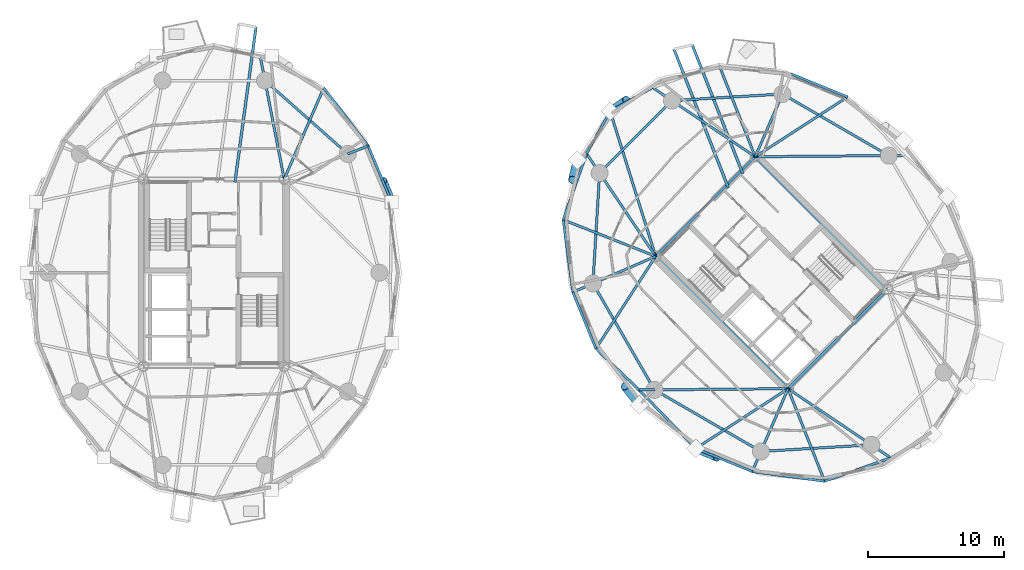
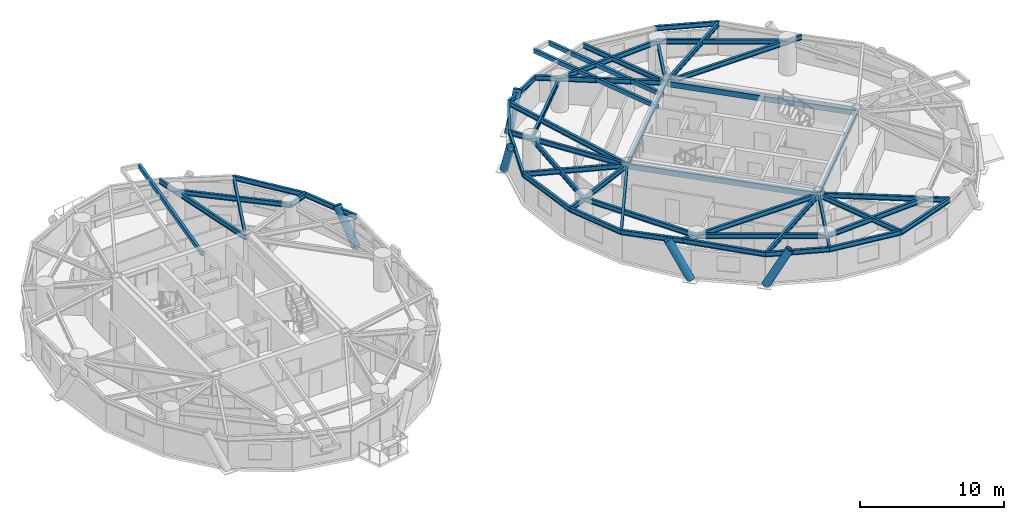
# One storey, part 4 of 18: 47 beams, 5 members.
"""IFC4 building model written with IfcOpenShell, lengths in metres."""

from ifc_helpers import new_model, si_unit, direction, frame, origin, origin_2d, place, context, subcontext, project, spatial, hollow_rectangle, hollow_circle, i_section, extrude, material, material_profile, profile_set, type_object, element, save


model = new_model("IFC4")

# Units and contexts
model_context = context("Model", 3, precision=1e-05, world=origin(), true_north=direction((0.0, 1.0)))
body_context = subcontext(model_context, "Body", "Model", "MODEL_VIEW")
ifc_project = project(units=[si_unit("LENGTHUNIT", "METRE"), si_unit("AREAUNIT", "SQUARE_METRE"), si_unit("VOLUMEUNIT", "CUBIC_METRE"), si_unit("PLANEANGLEUNIT", "RADIAN"), si_unit("MASSUNIT", "GRAM", prefix="KILO")], contexts=[model_context])

# Site, building, storey
site_placement = place(None, origin())
site = spatial("IfcSite", under=ifc_project, at=site_placement, CompositionType="ELEMENT")
building_placement = place(site_placement, origin())
building = spatial("IfcBuilding", under=site, at=building_placement, Name="Cununo Teusaquillo Station Towers", CompositionType="ELEMENT")
storey_placement = place(building_placement, frame((0.0, 0.0, 169.06005859375)))
storey = spatial("IfcBuildingStorey", under=building, at=storey_placement, Name="L53", CompositionType="ELEMENT", Elevation=169.06005859375)

# Beams
ifc_material_1 = material(Name="Steel EN 10025-2 S355J2", Category="steel")
ifc_material_profile_1 = material_profile(ifc_material_1, hollow_rectangle(XDim=0.199951171875, YDim=0.35009765625, WallThickness=0.013916015625, at=origin_2d()), Name="RHS 350x200x14")
ifc_profile_set_1 = profile_set([ifc_material_profile_1], Name="Steel EN 10025-2 S355J2")
beam_type_1 = type_object("IfcBeamType", Name="BM-BAL-CANT", PredefinedType="BEAM", material=ifc_profile_set_1)
beam_1_placement = place(storey_placement, frame((18.05517578125, 31.14990234375, 2.514892578125), z_axis=(0.134626438315, 0.990896423501, 0.0), x_axis=(-0.990896423501, 0.134626438315, 0.0)))
element("IfcBeam", 1, at=beam_1_placement, inside=storey, type_object=beam_type_1, Name="L53 Tower A Balcony Cantilever Bracket 1A", PredefinedType="BEAM", context=body_context, shape_type="SweptSolid", body=[
    extrude(hollow_rectangle(XDim=0.199951171875, YDim=0.35009765625, WallThickness=0.013916015625, at=origin_2d()), origin(), (0.0, 0.0, 1.0), 11.504638671875),
])
beam_2_placement = place(storey_placement, frame((55.377685546875, 31.781982421875, 2.514892578125), z_axis=(-0.365281448211, 0.930897128362, 0.0), x_axis=(-0.930897128362, -0.365281448211, 0.0)))
element("IfcBeam", 2, at=beam_2_placement, inside=storey, type_object=beam_type_1, Name="L53 Tower B Balcony Cantilever Bracket 1A", PredefinedType="BEAM", context=body_context, shape_type="SweptSolid", body=[
    extrude(hollow_rectangle(XDim=0.199951171875, YDim=0.35009765625, WallThickness=0.013916015625, at=origin_2d()), origin(), (0.0, 0.0, 1.0), 10.162353515625),
])
beam_3_placement = place(storey_placement, frame((54.32177734375, 30.726318359375, 2.514892578125), z_axis=(-0.36528703962, 0.93089493429, 0.0), x_axis=(-0.93089493429, -0.36528703962, 0.0)))
element("IfcBeam", 3, at=beam_3_placement, inside=storey, type_object=beam_type_1, Name="L53 Tower B Balcony Cantilever Bracket 1B", PredefinedType="BEAM", context=body_context, shape_type="SweptSolid", body=[
    extrude(hollow_rectangle(XDim=0.199951171875, YDim=0.35009765625, WallThickness=0.013916015625, at=origin_2d()), origin(), (0.0, 0.0, 1.0), 10.958984375),
])
ifc_material_2 = material(Name="Steel EN 10025-2 S355J2", Category="steel")
ifc_material_profile_2 = material_profile(ifc_material_2, hollow_rectangle(XDim=0.25, YDim=0.449951171875, WallThickness=0.01611328125, at=origin_2d()), Name="RHS 450x250x16")
ifc_profile_set_2 = profile_set([ifc_material_profile_2], Name="Steel EN 10025-2 S355J2")
beam_type_2 = type_object("IfcBeamType", Name="BM-COUP-1", PredefinedType="USERDEFINED", material=ifc_profile_set_2)
for number, where, z_axis, x_axis, name in (
    (4, (58.70556640625, 15.975830078125, 2.46484375), (-0.707106781187, 0.707106781187, 0.0), (-0.707106781187, -0.707106781187, 0.0), "L53 Tower B Core Beam 1"),
    (5, (66.024169921875, 23.29443359375, 2.46484375), (-0.707106781187, 0.707106781187, 0.0), (-0.707106781187, -0.707106781187, 0.0), "L53 Tower B Core Beam 2"),
):
    element("IfcBeam", number, at=place(storey_placement, frame(where, z_axis=z_axis, x_axis=x_axis)), inside=storey, type_object=beam_type_2, Name=name, ObjectType="COUPLING BEAM", PredefinedType="USERDEFINED", context=body_context, shape_type="SweptSolid", body=[
        extrude(hollow_rectangle(XDim=0.25, YDim=0.449951171875, WallThickness=0.01611328125, at=origin_2d()), origin(), (0.0, 0.0, 1.0), 13.760009765625),
    ])
ifc_material_3 = material(Name="Steel ASTM A572 Grade 50", Category="steel")
ifc_material_profile_3 = material_profile(ifc_material_3, i_section(OverallWidth=0.180908203125, OverallDepth=0.4169921875, WebThickness=0.010986328125, FlangeThickness=0.018310546875, FilletRadius=0.012939453125, at=origin_2d()), Name="W16X57")
ifc_profile_set_3 = profile_set([ifc_material_profile_3], Name="Steel ASTM A572 Grade 50")
beam_type_3 = type_object("IfcBeamType", Name="BM-JOIST-1", PredefinedType="JOIST", material=ifc_profile_set_3)
beam_4_placement = place(storey_placement, frame((21.675048828125, 31.3798828125, 2.4814453125), z_axis=(0.397903718051, 0.917427180304, 0.0), x_axis=(-0.917427180304, 0.397903718051, 0.0)))
element("IfcBeam", 6, at=beam_4_placement, inside=storey, type_object=beam_type_3, Name="L53 Tower A Radial Spandrel Joist V03", PredefinedType="JOIST", context=body_context, shape_type="SweptSolid", body=[
    extrude(i_section(OverallWidth=0.180908203125, OverallDepth=0.4169921875, WebThickness=0.010986328125, FlangeThickness=0.018310546875, FilletRadius=0.012939453125, at=origin_2d()), origin(), (0.0, 0.0, 1.0), 7.306884765625),
])
beam_5_placement = place(storey_placement, frame((56.29443359375, 33.024169921875, 2.4814453125), z_axis=(0.839447756954, 0.543440395394, 0.0), x_axis=(-0.543440395394, 0.839447756954, 0.0)))
element("IfcBeam", 7, at=beam_5_placement, inside=storey, type_object=beam_type_3, Name="L53 Tower B Radial Spandrel Joist V01", PredefinedType="JOIST", context=body_context, shape_type="SweptSolid", body=[
    extrude(i_section(OverallWidth=0.180908203125, OverallDepth=0.4169921875, WebThickness=0.010986328125, FlangeThickness=0.018310546875, FilletRadius=0.012939453125, at=origin_2d()), origin(), (0.0, 0.0, 1.0), 8.08203125),
])
beam_6_placement = place(storey_placement, frame((56.29443359375, 33.024169921875, 2.4814453125), z_axis=(-0.367331607091, 0.93009004426, 0.0), x_axis=(-0.93009004426, -0.367331607091, 0.0)))
element("IfcBeam", 8, at=beam_6_placement, inside=storey, type_object=beam_type_3, Name="L53 Tower B Radial Spandrel Joist V03", PredefinedType="JOIST", context=body_context, shape_type="SweptSolid", body=[
    extrude(i_section(OverallWidth=0.180908203125, OverallDepth=0.4169921875, WebThickness=0.010986328125, FlangeThickness=0.018310546875, FilletRadius=0.012939453125, at=origin_2d()), origin(), (0.0, 0.0, 1.0), 7.306884765625),
])
beam_7_placement = place(storey_placement, frame((48.975830078125, 25.70556640625, 2.4814453125), z_axis=(-0.29947962656, 0.954102695351, 0.0), x_axis=(-0.954102695351, -0.29947962656, 0.0)))
element("IfcBeam", 9, at=beam_7_placement, inside=storey, type_object=beam_type_3, Name="L53 Tower B Radial Spandrel Joist V05", PredefinedType="JOIST", context=body_context, shape_type="SweptSolid", body=[
    extrude(i_section(OverallWidth=0.180908203125, OverallDepth=0.4169921875, WebThickness=0.010986328125, FlangeThickness=0.018310546875, FilletRadius=0.012939453125, at=origin_2d()), origin(), (0.0, 0.0, 1.0), 11.179931640625),
])
beam_8_placement = place(storey_placement, frame((48.975830078125, 25.70556640625, 2.4814453125), z_axis=(-0.93009004426, 0.367331607091, 0.0), x_axis=(-0.367331607091, -0.93009004426, 0.0)))
element("IfcBeam", 10, at=beam_8_placement, inside=storey, type_object=beam_type_3, Name="L53 Tower B Radial Spandrel Joist V07", PredefinedType="JOIST", context=body_context, shape_type="SweptSolid", body=[
    extrude(i_section(OverallWidth=0.180908203125, OverallDepth=0.4169921875, WebThickness=0.010986328125, FlangeThickness=0.018310546875, FilletRadius=0.012939453125, at=origin_2d()), origin(), (0.0, 0.0, 1.0), 7.306884765625),
])
for number, where, z_axis, x_axis, name in (
    (11, (48.975830078125, 25.70556640625, 2.4814453125), (-0.543440395394, -0.839447756954, 0.0), (0.839447756954, -0.543440395394, 0.0), "L53 Tower B Radial Spandrel Joist V09"),
    (12, (58.70556640625, 15.975830078125, 2.4814453125), (-0.839447756954, -0.543440395394, 0.0), (0.543440395394, -0.839447756954, 0.0), "L53 Tower B Radial Spandrel Joist V11"),
):
    element("IfcBeam", number, at=place(storey_placement, frame(where, z_axis=z_axis, x_axis=x_axis)), inside=storey, type_object=beam_type_3, Name=name, PredefinedType="JOIST", context=body_context, shape_type="SweptSolid", body=[
        extrude(i_section(OverallWidth=0.180908203125, OverallDepth=0.4169921875, WebThickness=0.010986328125, FlangeThickness=0.018310546875, FilletRadius=0.012939453125, at=origin_2d()), origin(), (0.0, 0.0, 1.0), 8.08203125),
    ])
beam_9_placement = place(storey_placement, frame((58.70556640625, 15.975830078125, 2.4814453125), z_axis=(0.367331607091, -0.93009004426, 0.0), x_axis=(0.93009004426, 0.367331607091, 0.0)))
element("IfcBeam", 13, at=beam_9_placement, inside=storey, type_object=beam_type_3, Name="L53 Tower B Radial Spandrel Joist V13", PredefinedType="JOIST", context=body_context, shape_type="SweptSolid", body=[
    extrude(i_section(OverallWidth=0.180908203125, OverallDepth=0.4169921875, WebThickness=0.010986328125, FlangeThickness=0.018310546875, FilletRadius=0.012939453125, at=origin_2d()), origin(), (0.0, 0.0, 1.0), 7.306884765625),
])
ifc_material_4 = material(Name="Steel ASTM A572 Grade 50", Category="steel")
ifc_material_profile_4 = material_profile(ifc_material_4, i_section(OverallWidth=0.2041015625, OverallDepth=0.35009765625, WebThickness=0.008544921875, FlangeThickness=0.01513671875, FilletRadius=0.011962890625, at=origin_2d()), Name="W14X48")
ifc_profile_set_4 = profile_set([ifc_material_profile_4], Name="Steel ASTM A572 Grade 50")
beam_type_4 = type_object("IfcBeamType", Name="BM-LINTEL-1", PredefinedType="LINTEL", material=ifc_profile_set_4)
for number, where, z_axis, x_axis, name in (
    (14, (58.70556640625, 15.975830078125, 2.514892578125), (0.707106781187, 0.707106781187, 0.0), (-0.707106781187, 0.707106781187, 0.0), "L53 Tower B Core Beam 3"),
    (15, (48.975830078125, 25.70556640625, 2.514892578125), (0.707106781187, 0.707106781187, 0.0), (-0.707106781187, 0.707106781187, 0.0), "L53 Tower B Core Beam 4"),
):
    element("IfcBeam", number, at=place(storey_placement, frame(where, z_axis=z_axis, x_axis=x_axis)), inside=storey, type_object=beam_type_4, Name=name, PredefinedType="LINTEL", context=body_context, shape_type="SweptSolid", body=[
        extrude(i_section(OverallWidth=0.2041015625, OverallDepth=0.35009765625, WebThickness=0.008544921875, FlangeThickness=0.01513671875, FilletRadius=0.011962890625, at=origin_2d()), origin(), (0.0, 0.0, 1.0), 10.35009765625),
    ])
ifc_material_5 = material(Name="Steel ASTM A572 Grade 50", Category="steel")
ifc_material_profile_5 = material_profile(ifc_material_5, i_section(OverallWidth=0.180908203125, OverallDepth=0.4169921875, WebThickness=0.010986328125, FlangeThickness=0.018310546875, FilletRadius=0.012939453125, at=origin_2d()), Name="W16X57")
ifc_profile_set_5 = profile_set([ifc_material_profile_5], Name="Steel ASTM A572 Grade 50")
beam_type_5 = type_object("IfcBeamType", Name="BM-RAD-G2", PredefinedType="BEAM", material=ifc_profile_set_5)
beam_10_placement = place(storey_placement, frame((26.347412109375, 33.228515625, 2.4814453125), z_axis=(0.929873737198, 0.367878829058, 0.0), x_axis=(-0.367878829058, 0.929873737198, 0.0)))
element("IfcBeam", 16, at=beam_10_placement, inside=storey, type_object=beam_type_5, Name="L53 Tower A Perimeter Overhang Girder 02B", PredefinedType="BEAM", context=body_context, shape_type="SweptSolid", body=[
    extrude(i_section(OverallWidth=0.180908203125, OverallDepth=0.4169921875, WebThickness=0.010986328125, FlangeThickness=0.018310546875, FilletRadius=0.012939453125, at=origin_2d()), origin(), (0.0, 0.0, 1.0), 1.607421875),
])
beam_11_placement = place(storey_placement, frame((21.675048828125, 31.3798828125, 2.4814453125), z_axis=(-0.191557018874, 0.981481486591, 0.0), x_axis=(-0.981481486591, -0.191557018874, 0.0)))
element("IfcBeam", 17, at=beam_11_placement, inside=storey, type_object=beam_type_5, Name="L53 Tower A Continuous Overhanging Radial Girder 03", PredefinedType="BEAM", context=body_context, shape_type="SweptSolid", body=[
    extrude(i_section(OverallWidth=0.180908203125, OverallDepth=0.4169921875, WebThickness=0.010986328125, FlangeThickness=0.018310546875, FilletRadius=0.012939453125, at=origin_2d()), origin(), (0.0, 0.0, 1.0), 9.097412109375),
])
beam_12_placement = place(storey_placement, frame((56.29443359375, 33.024169921875, 2.4814453125), z_axis=(0.999964410964, 0.008436634764, 0.0), x_axis=(-0.008436634764, 0.999964410964, 0.0)))
element("IfcBeam", 18, at=beam_12_placement, inside=storey, type_object=beam_type_5, Name="L53 Tower B Continuous Overhanging Radial Girder 01", PredefinedType="BEAM", context=body_context, shape_type="SweptSolid", body=[
    extrude(i_section(OverallWidth=0.180908203125, OverallDepth=0.4169921875, WebThickness=0.010986328125, FlangeThickness=0.018310546875, FilletRadius=0.012939453125, at=origin_2d()), origin(), (0.0, 0.0, 1.0), 10.938720703125),
])
beam_13_placement = place(storey_placement, frame((56.29443359375, 33.024169921875, 2.4814453125), z_axis=(0.397346986387, 0.917668443616, 0.0), x_axis=(-0.917668443616, 0.397346986387, 0.0)))
element("IfcBeam", 19, at=beam_13_placement, inside=storey, type_object=beam_type_5, Name="L53 Tower B Radial Girder 02A", PredefinedType="BEAM", context=body_context, shape_type="SweptSolid", body=[
    extrude(i_section(OverallWidth=0.180908203125, OverallDepth=0.4169921875, WebThickness=0.010986328125, FlangeThickness=0.018310546875, FilletRadius=0.012939453125, at=origin_2d()), origin(), (0.0, 0.0, 1.0), 5.02490234375),
])
for number, where, z_axis, x_axis, name in (
    (20, (56.29443359375, 33.024169921875, 2.4814453125), (-0.829456719326, 0.558570989907, 0.0), (-0.558570989907, -0.829456719326, 0.0), "L53 Tower B Continuous Overhanging Radial Girder 03"),
    (21, (48.975830078125, 25.70556640625, 2.4814453125), (-0.558570989907, 0.829456719326, 0.0), (-0.829456719326, -0.558570989907, 0.0), "L53 Tower B Continuous Overhanging Radial Girder 04"),
):
    element("IfcBeam", number, at=place(storey_placement, frame(where, z_axis=z_axis, x_axis=x_axis)), inside=storey, type_object=beam_type_5, Name=name, PredefinedType="BEAM", context=body_context, shape_type="SweptSolid", body=[
        extrude(i_section(OverallWidth=0.180908203125, OverallDepth=0.4169921875, WebThickness=0.010986328125, FlangeThickness=0.018310546875, FilletRadius=0.012939453125, at=origin_2d()), origin(), (0.0, 0.0, 1.0), 9.097412109375),
    ])
beam_14_placement = place(storey_placement, frame((48.975830078125, 25.70556640625, 2.4814453125), z_axis=(-0.917664823247, -0.397355347486, 0.0), x_axis=(0.397355347486, -0.917664823247, 0.0)))
element("IfcBeam", 22, at=beam_14_placement, inside=storey, type_object=beam_type_5, Name="L53 Tower B Continuous Overhanging Radial Girder 05", PredefinedType="BEAM", context=body_context, shape_type="SweptSolid", body=[
    extrude(i_section(OverallWidth=0.180908203125, OverallDepth=0.4169921875, WebThickness=0.010986328125, FlangeThickness=0.018310546875, FilletRadius=0.012939453125, at=origin_2d()), origin(), (0.0, 0.0, 1.0), 6.632080078125),
])
beam_15_placement = place(storey_placement, frame((58.70556640625, 15.975830078125, 2.4814453125), z_axis=(-0.999964431382, -0.008434214327, 0.0), x_axis=(0.008434214327, -0.999964431382, 0.0)))
element("IfcBeam", 23, at=beam_15_placement, inside=storey, type_object=beam_type_5, Name="L53 Tower B Radial Girder 06A", PredefinedType="BEAM", context=body_context, shape_type="SweptSolid", body=[
    extrude(i_section(OverallWidth=0.180908203125, OverallDepth=0.4169921875, WebThickness=0.010986328125, FlangeThickness=0.018310546875, FilletRadius=0.012939453125, at=origin_2d()), origin(), (0.0, 0.0, 1.0), 9.812744140625),
])
beam_16_placement = place(storey_placement, frame((48.89306640625, 15.89306640625, 2.4814453125), z_axis=(-0.99996423274, -0.008457732613, 0.0), x_axis=(0.008457732613, -0.99996423274, 0.0)))
element("IfcBeam", 24, at=beam_16_placement, inside=storey, type_object=beam_type_5, Name="L53 Tower B Perimeter Overhang Girder 06B", PredefinedType="BEAM", context=body_context, shape_type="SweptSolid", body=[
    extrude(i_section(OverallWidth=0.180908203125, OverallDepth=0.4169921875, WebThickness=0.010986328125, FlangeThickness=0.018310546875, FilletRadius=0.012939453125, at=origin_2d()), origin(), (0.0, 0.0, 1.0), 1.125732421875),
])
beam_17_placement = place(storey_placement, frame((58.70556640625, 15.975830078125, 2.4814453125), z_axis=(-0.397355347486, -0.917664823247, 0.0), x_axis=(0.917664823247, -0.397355347486, 0.0)))
element("IfcBeam", 25, at=beam_17_placement, inside=storey, type_object=beam_type_5, Name="L53 Tower B Continuous Overhanging Radial Girder 07", PredefinedType="BEAM", context=body_context, shape_type="SweptSolid", body=[
    extrude(i_section(OverallWidth=0.180908203125, OverallDepth=0.4169921875, WebThickness=0.010986328125, FlangeThickness=0.018310546875, FilletRadius=0.012939453125, at=origin_2d()), origin(), (0.0, 0.0, 1.0), 6.632080078125),
])
beam_18_placement = place(storey_placement, frame((58.70556640625, 15.975830078125, 2.4814453125), z_axis=(0.829456719326, -0.558570989907, 0.0), x_axis=(0.558570989907, 0.829456719326, 0.0)))
element("IfcBeam", 26, at=beam_18_placement, inside=storey, type_object=beam_type_5, Name="L53 Tower B Continuous Overhanging Radial Girder 08", PredefinedType="BEAM", context=body_context, shape_type="SweptSolid", body=[
    extrude(i_section(OverallWidth=0.180908203125, OverallDepth=0.4169921875, WebThickness=0.010986328125, FlangeThickness=0.018310546875, FilletRadius=0.012939453125, at=origin_2d()), origin(), (0.0, 0.0, 1.0), 9.097412109375),
])
ifc_material_6 = material(Name="Steel ASTM A572 Grade 50", Category="steel")
ifc_material_profile_6 = material_profile(ifc_material_6, i_section(OverallWidth=0.180908203125, OverallDepth=0.4169921875, WebThickness=0.010986328125, FlangeThickness=0.018310546875, FilletRadius=0.012939453125, at=origin_2d()), Name="W16X57")
ifc_profile_set_6 = profile_set([ifc_material_profile_6], Name="Steel ASTM A572 Grade 50")
beam_type_6 = type_object("IfcBeamType", Name="BM-RING-Z3", PredefinedType="SPANDREL", material=ifc_profile_set_6)
beam_19_placement = place(storey_placement, frame((26.347412109375, 33.228515625, 2.4814453125), z_axis=(-0.74832120039, 0.66333655187, 0.0), x_axis=(-0.66333655187, -0.74832120039, 0.0)))
element("IfcBeam", 27, at=beam_19_placement, inside=storey, type_object=beam_type_6, Name="L53 Tower A Structural Column Ring Girder 02", PredefinedType="SPANDREL", context=body_context, shape_type="SweptSolid", body=[
    extrude(i_section(OverallWidth=0.180908203125, OverallDepth=0.4169921875, WebThickness=0.010986328125, FlangeThickness=0.018310546875, FilletRadius=0.012939453125, at=origin_2d()), origin(), (0.0, 0.0, 1.0), 8.1328125),
])
beam_20_placement = place(storey_placement, frame((29.577880859375, 29.6884765625, 2.4814453125), z_axis=(-0.387360300858, 0.921928412253, 0.0), x_axis=(-0.921928412253, -0.387360300858, 0.0)))
element("IfcBeam", 28, at=beam_20_placement, inside=storey, type_object=beam_type_6, Name="L53 Tower A Spandrel Ring Beam 02", PredefinedType="SPANDREL", context=body_context, shape_type="SweptSolid", body=[
    extrude(i_section(OverallWidth=0.180908203125, OverallDepth=0.4169921875, WebThickness=0.010986328125, FlangeThickness=0.018310546875, FilletRadius=0.012939453125, at=origin_2d()), origin(), (0.0, 0.0, 1.0), 4.481201171875),
])
beam_21_placement = place(storey_placement, frame((27.842041015625, 33.81982421875, 2.4814453125), z_axis=(-0.607340349092, 0.794441753916, 0.0), x_axis=(-0.794441753916, -0.607340349092, 0.0)))
element("IfcBeam", 29, at=beam_21_placement, inside=storey, type_object=beam_type_6, Name="L53 Tower A Spandrel Ring Beam 03", PredefinedType="SPANDREL", context=body_context, shape_type="SweptSolid", body=[
    extrude(i_section(OverallWidth=0.180908203125, OverallDepth=0.4169921875, WebThickness=0.010986328125, FlangeThickness=0.018310546875, FilletRadius=0.012939453125, at=origin_2d()), origin(), (0.0, 0.0, 1.0), 5.366943359375),
])
beam_22_placement = place(storey_placement, frame((66.10693359375, 33.10693359375, 2.4814453125), z_axis=(-0.865267103202, 0.501311121078, 0.0), x_axis=(-0.501311121078, -0.865267103202, 0.0)))
element("IfcBeam", 30, at=beam_22_placement, inside=storey, type_object=beam_type_6, Name="L53 Tower B Structural Column Ring Girder 01", PredefinedType="SPANDREL", context=body_context, shape_type="SweptSolid", body=[
    extrude(i_section(OverallWidth=0.180908203125, OverallDepth=0.4169921875, WebThickness=0.010986328125, FlangeThickness=0.018310546875, FilletRadius=0.012939453125, at=origin_2d()), origin(), (0.0, 0.0, 1.0), 9.032958984375),
])
beam_23_placement = place(storey_placement, frame((58.291015625, 37.63525390625, 2.4814453125), z_axis=(-0.998190567048, -0.06012979176, 0.0), x_axis=(0.06012979176, -0.998190567048, 0.0)))
element("IfcBeam", 31, at=beam_23_placement, inside=storey, type_object=beam_type_6, Name="L53 Tower B Structural Column Ring Girder 02", PredefinedType="SPANDREL", context=body_context, shape_type="SweptSolid", body=[
    extrude(i_section(OverallWidth=0.180908203125, OverallDepth=0.4169921875, WebThickness=0.010986328125, FlangeThickness=0.018310546875, FilletRadius=0.012939453125, at=origin_2d()), origin(), (0.0, 0.0, 1.0), 8.132568359375),
])
beam_24_placement = place(storey_placement, frame((50.173095703125, 37.146240234375, 2.4814453125), z_axis=(-0.707106781187, -0.707106781187, 0.0), x_axis=(0.707106781187, -0.707106781187, 0.0)))
element("IfcBeam", 32, at=beam_24_placement, inside=storey, type_object=beam_type_6, Name="L53 Tower B Structural Column Ring Girder 03", PredefinedType="SPANDREL", context=body_context, shape_type="SweptSolid", body=[
    extrude(i_section(OverallWidth=0.180908203125, OverallDepth=0.4169921875, WebThickness=0.010986328125, FlangeThickness=0.018310546875, FilletRadius=0.012939453125, at=origin_2d()), origin(), (0.0, 0.0, 1.0), 7.522705078125),
])
beam_25_placement = place(storey_placement, frame((44.853759765625, 31.826904296875, 2.4814453125), z_axis=(-0.06012979176, -0.998190567048, 0.0), x_axis=(0.998190567048, -0.06012979176, 0.0)))
element("IfcBeam", 33, at=beam_25_placement, inside=storey, type_object=beam_type_6, Name="L53 Tower B Structural Column Ring Girder 04", PredefinedType="SPANDREL", context=body_context, shape_type="SweptSolid", body=[
    extrude(i_section(OverallWidth=0.180908203125, OverallDepth=0.4169921875, WebThickness=0.010986328125, FlangeThickness=0.018310546875, FilletRadius=0.012939453125, at=origin_2d()), origin(), (0.0, 0.0, 1.0), 8.132568359375),
])
for number, where, z_axis, x_axis, name in (
    (34, (44.36474609375, 23.708984375, 2.4814453125), (0.501311121078, -0.865267103202, 0.0), (0.865267103202, 0.501311121078, 0.0), "L53 Tower B Structural Column Ring Girder 05"),
    (35, (48.89306640625, 15.89306640625, 2.4814453125), (0.865267103202, -0.501311121078, 0.0), (0.501311121078, 0.865267103202, 0.0), "L53 Tower B Structural Column Ring Girder 06"),
):
    element("IfcBeam", number, at=place(storey_placement, frame(where, z_axis=z_axis, x_axis=x_axis)), inside=storey, type_object=beam_type_6, Name=name, PredefinedType="SPANDREL", context=body_context, shape_type="SweptSolid", body=[
        extrude(i_section(OverallWidth=0.180908203125, OverallDepth=0.4169921875, WebThickness=0.010986328125, FlangeThickness=0.018310546875, FilletRadius=0.012939453125, at=origin_2d()), origin(), (0.0, 0.0, 1.0), 9.032958984375),
    ])
beam_26_placement = place(storey_placement, frame((56.708984375, 11.36474609375, 2.4814453125), z_axis=(0.998190567048, 0.06012979176, 0.0), x_axis=(-0.06012979176, 0.998190567048, 0.0)))
element("IfcBeam", 36, at=beam_26_placement, inside=storey, type_object=beam_type_6, Name="L53 Tower B Structural Column Ring Girder 07", PredefinedType="SPANDREL", context=body_context, shape_type="SweptSolid", body=[
    extrude(i_section(OverallWidth=0.180908203125, OverallDepth=0.4169921875, WebThickness=0.010986328125, FlangeThickness=0.018310546875, FilletRadius=0.012939453125, at=origin_2d()), origin(), (0.0, 0.0, 1.0), 8.132568359375),
])
beam_27_placement = place(storey_placement, frame((63.078857421875, 37.416259765625, 2.4814453125), z_axis=(-0.925823525235, 0.377956082264, 0.0), x_axis=(-0.377956082264, -0.925823525235, 0.0)))
element("IfcBeam", 37, at=beam_27_placement, inside=storey, type_object=beam_type_6, Name="L53 Tower B Spandrel Ring Beam 02", PredefinedType="SPANDREL", context=body_context, shape_type="SweptSolid", body=[
    extrude(i_section(OverallWidth=0.180908203125, OverallDepth=0.4169921875, WebThickness=0.010986328125, FlangeThickness=0.018310546875, FilletRadius=0.012939453125, at=origin_2d()), origin(), (0.0, 0.0, 1.0), 4.481689453125),
])
for number, where, z_axis, x_axis, name in (
    (38, (48.74853515625, 38.105712890625, 2.4814453125), (-0.874205659621, -0.485555830659, 0.0), (0.485555830659, -0.874205659621, 0.0), "L53 Tower B Spandrel Ring Beam 05"),
    (39, (45.627685546875, 36.372314453125, 2.4814453125), (-0.485555830659, -0.874205659621, 0.0), (0.874205659621, -0.485555830659, 0.0), "L53 Tower B Spandrel Ring Beam 06"),
):
    element("IfcBeam", number, at=place(storey_placement, frame(where, z_axis=z_axis, x_axis=x_axis)), inside=storey, type_object=beam_type_6, Name=name, PredefinedType="SPANDREL", context=body_context, shape_type="SweptSolid", body=[
        extrude(i_section(OverallWidth=0.180908203125, OverallDepth=0.4169921875, WebThickness=0.010986328125, FlangeThickness=0.018310546875, FilletRadius=0.012939453125, at=origin_2d()), origin(), (0.0, 0.0, 1.0), 3.56982421875),
    ])
beam_28_placement = place(storey_placement, frame((43.894287109375, 33.25146484375, 2.4814453125), z_axis=(-0.332589733158, -0.943071614141, 0.0), x_axis=(0.943071614141, -0.332589733158, 0.0)))
element("IfcBeam", 40, at=beam_28_placement, inside=storey, type_object=beam_type_6, Name="L53 Tower B Spandrel Ring Beam 07", PredefinedType="SPANDREL", context=body_context, shape_type="SweptSolid", body=[
    extrude(i_section(OverallWidth=0.180908203125, OverallDepth=0.4169921875, WebThickness=0.010986328125, FlangeThickness=0.018310546875, FilletRadius=0.012939453125, at=origin_2d()), origin(), (0.0, 0.0, 1.0), 5.1552734375),
])
beam_29_placement = place(storey_placement, frame((42.1796875, 28.3896484375, 2.4814453125), z_axis=(0.132339532096, -0.991204443213, 0.0), x_axis=(0.991204443213, 0.132339532096, 0.0)))
element("IfcBeam", 41, at=beam_29_placement, inside=storey, type_object=beam_type_6, Name="L53 Tower B Spandrel Ring Beam 08", PredefinedType="SPANDREL", context=body_context, shape_type="SweptSolid", body=[
    extrude(i_section(OverallWidth=0.180908203125, OverallDepth=0.4169921875, WebThickness=0.010986328125, FlangeThickness=0.018310546875, FilletRadius=0.012939453125, at=origin_2d()), origin(), (0.0, 0.0, 1.0), 5.366455078125),
])
beam_30_placement = place(storey_placement, frame((42.889892578125, 23.0703125, 2.4814453125), z_axis=(0.377956082264, -0.925823525235, 0.0), x_axis=(0.925823525235, 0.377956082264, 0.0)))
element("IfcBeam", 42, at=beam_30_placement, inside=storey, type_object=beam_type_6, Name="L53 Tower B Spandrel Ring Beam 09", PredefinedType="SPANDREL", context=body_context, shape_type="SweptSolid", body=[
    extrude(i_section(OverallWidth=0.180908203125, OverallDepth=0.4169921875, WebThickness=0.010986328125, FlangeThickness=0.018310546875, FilletRadius=0.012939453125, at=origin_2d()), origin(), (0.0, 0.0, 1.0), 4.481689453125),
])
beam_31_placement = place(storey_placement, frame((44.583740234375, 18.921142578125, 2.4814453125), z_axis=(0.723501643849, -0.690322657421, 0.0), x_axis=(0.690322657421, 0.723501643849, 0.0)))
element("IfcBeam", 43, at=beam_31_placement, inside=storey, type_object=beam_type_6, Name="L53 Tower B Spandrel Ring Beam 10", PredefinedType="SPANDREL", context=body_context, shape_type="SweptSolid", body=[
    extrude(i_section(OverallWidth=0.180908203125, OverallDepth=0.4169921875, WebThickness=0.010986328125, FlangeThickness=0.018310546875, FilletRadius=0.012939453125, at=origin_2d()), origin(), (0.0, 0.0, 1.0), 4.400146484375),
])
beam_32_placement = place(storey_placement, frame((47.767333984375, 15.883544921875, 2.4814453125), z_axis=(0.694791256552, -0.719211450005, 0.0), x_axis=(0.719211450005, 0.694791256552, 0.0)))
element("IfcBeam", 44, at=beam_32_placement, inside=storey, type_object=beam_type_6, Name="L53 Tower B Spandrel Ring Beam 11", PredefinedType="SPANDREL", context=body_context, shape_type="SweptSolid", body=[
    extrude(i_section(OverallWidth=0.180908203125, OverallDepth=0.4169921875, WebThickness=0.010986328125, FlangeThickness=0.018310546875, FilletRadius=0.012939453125, at=origin_2d()), origin(), (0.0, 0.0, 1.0), 5.978515625),
])
beam_33_placement = place(storey_placement, frame((51.921142578125, 11.583740234375, 2.4814453125), z_axis=(0.925823525235, -0.377956082264, 0.0), x_axis=(0.377956082264, 0.925823525235, 0.0)))
element("IfcBeam", 45, at=beam_33_placement, inside=storey, type_object=beam_type_6, Name="L53 Tower B Spandrel Ring Beam 12", PredefinedType="SPANDREL", context=body_context, shape_type="SweptSolid", body=[
    extrude(i_section(OverallWidth=0.180908203125, OverallDepth=0.4169921875, WebThickness=0.010986328125, FlangeThickness=0.018310546875, FilletRadius=0.012939453125, at=origin_2d()), origin(), (0.0, 0.0, 1.0), 4.481689453125),
])
beam_34_placement = place(storey_placement, frame((56.0703125, 9.889892578125, 2.4814453125), z_axis=(0.991204443213, -0.132339532096, 0.0), x_axis=(0.132339532096, 0.991204443213, 0.0)))
element("IfcBeam", 46, at=beam_34_placement, inside=storey, type_object=beam_type_6, Name="L53 Tower B Spandrel Ring Beam 13", PredefinedType="SPANDREL", context=body_context, shape_type="SweptSolid", body=[
    extrude(i_section(OverallWidth=0.180908203125, OverallDepth=0.4169921875, WebThickness=0.010986328125, FlangeThickness=0.018310546875, FilletRadius=0.012939453125, at=origin_2d()), origin(), (0.0, 0.0, 1.0), 5.366455078125),
])
beam_35_placement = place(storey_placement, frame((61.3896484375, 9.1796875, 2.4814453125), z_axis=(0.943071614141, 0.332589733158, 0.0), x_axis=(-0.332589733158, 0.943071614141, 0.0)))
element("IfcBeam", 47, at=beam_35_placement, inside=storey, type_object=beam_type_6, Name="L53 Tower B Spandrel Ring Beam 14", PredefinedType="SPANDREL", context=body_context, shape_type="SweptSolid", body=[
    extrude(i_section(OverallWidth=0.180908203125, OverallDepth=0.4169921875, WebThickness=0.010986328125, FlangeThickness=0.018310546875, FilletRadius=0.012939453125, at=origin_2d()), origin(), (0.0, 0.0, 1.0), 5.1552734375),
])

# Members
ifc_material_7 = material(Name="Steel EN 10025-2 S355J2", Category="steel")
ifc_material_profile_7 = material_profile(ifc_material_7, hollow_circle(Radius=0.304931640625, WallThickness=0.02001953125, at=origin_2d()), Name="CHS 610x20")
ifc_profile_set_7 = profile_set([ifc_material_profile_7], Name="Steel EN 10025-2 S355J2")
member_type = type_object("IfcMemberType", Name="MBR-DIAG-Z3", PredefinedType="BRACE", material=ifc_profile_set_7)
member_1_placement = place(storey_placement, frame((29.577880859375, 29.6884765625, -0.14013671875), z_axis=(-0.19339870769, 0.463547540187, 0.864708400474), x_axis=(-0.922897355367, -0.38504606407, 0.0)))
element("IfcMember", 48, at=member_1_placement, inside=storey, type_object=member_type, Name="L53 Tower A Folded-Zigzag Diagrid Tube C01", PredefinedType="BRACE", context=body_context, shape_type="SweptSolid", body=[
    extrude(hollow_circle(Radius=0.304931640625, WallThickness=0.02001953125, at=origin_2d()), origin(), (0.0, 0.0, 1.0), 3.365478515625),
])
member_2_placement = place(storey_placement, frame((45.627685546875, 36.372314453125, -0.14013671875), z_axis=(0.367998933543, 0.248714965501, 0.895945115979), x_axis=(-0.559961028799, 0.828518947416, 0.0)))
element("IfcMember", 49, at=member_2_placement, inside=storey, type_object=member_type, Name="L53 Tower B Folded-Zigzag Diagrid Tube C04", PredefinedType="BRACE", context=body_context, shape_type="SweptSolid", body=[
    extrude(hollow_circle(Radius=0.304931640625, WallThickness=0.02001953125, at=origin_2d()), origin(), (0.0, 0.0, 1.0), 3.248046875),
])
member_3_placement = place(storey_placement, frame((43.2041015625, 32.78662109375, -0.14013671875), z_axis=(-0.104175068617, -0.447401367651, 0.888245220253), x_axis=(0.973946400459, -0.226778325756, 0.0)))
element("IfcMember", 50, at=member_3_placement, inside=storey, type_object=member_type, Name="L53 Tower B Folded-Zigzag Diagrid Tube C06", PredefinedType="BRACE", context=body_context, shape_type="SweptSolid", body=[
    extrude(hollow_circle(Radius=0.304931640625, WallThickness=0.02001953125, at=origin_2d()), origin(), (0.0, 0.0, 1.0), 3.2763671875),
])
member_4_placement = place(storey_placement, frame((47.776611328125, 14.776611328125, -0.14013671875), z_axis=(-0.313677039683, 0.407226053583, 0.857772496679), x_axis=(-0.792223093087, -0.610231571438, 0.0)))
element("IfcMember", 51, at=member_4_placement, inside=storey, type_object=member_type, Name="L53 Tower B Folded-Zigzag Diagrid Tube C09", PredefinedType="BRACE", context=body_context, shape_type="SweptSolid", body=[
    extrude(hollow_circle(Radius=0.304931640625, WallThickness=0.02001953125, at=origin_2d()), origin(), (0.0, 0.0, 1.0), 3.392578125),
])
member_5_placement = place(storey_placement, frame((51.921142578125, 11.583740234375, -0.14013671875), z_axis=(0.464614826965, -0.190996227853, 0.864669592104), x_axis=(0.380212289499, 0.924899245818, 0.0)))
element("IfcMember", 52, at=member_5_placement, inside=storey, type_object=member_type, Name="L53 Tower B Folded-Zigzag Diagrid Tube C11", PredefinedType="BRACE", context=body_context, shape_type="SweptSolid", body=[
    extrude(hollow_circle(Radius=0.304931640625, WallThickness=0.02001953125, at=origin_2d()), origin(), (0.0, 0.0, 1.0), 3.36572265625),
])

save(model, "model.ifc")
